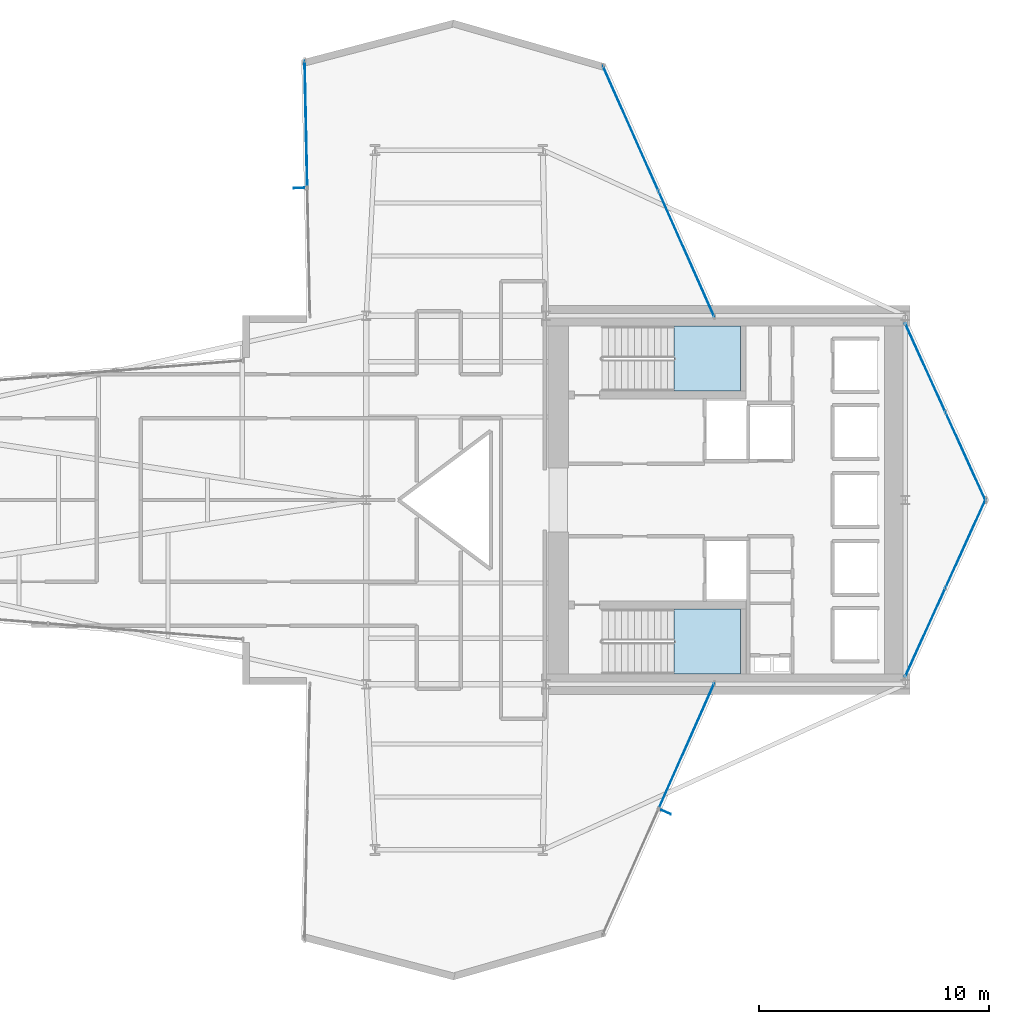
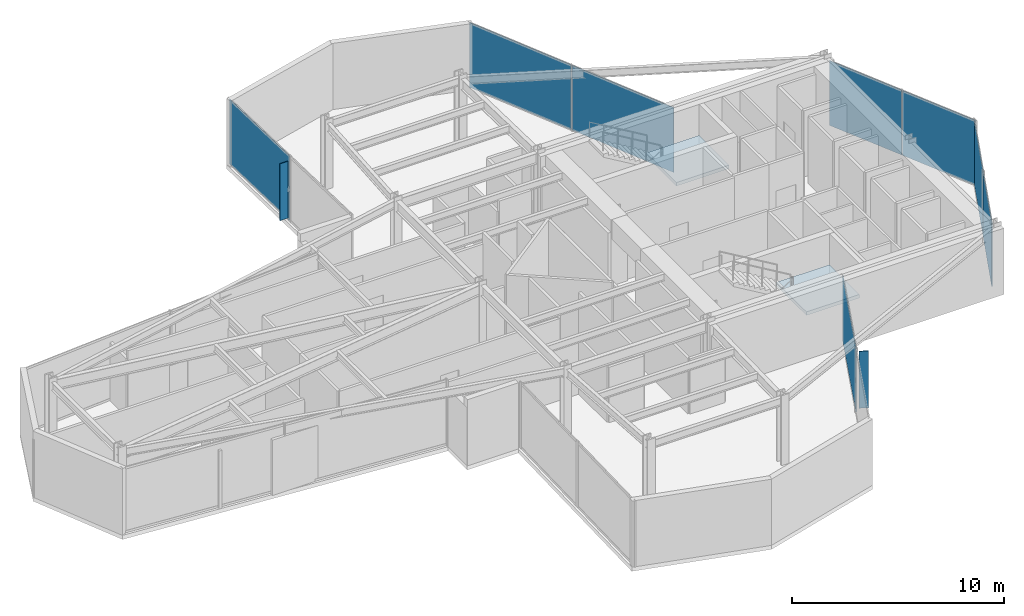
# One storey, part 19 of 23: 10 plates, 2 slabs, 7 elements without a shape of their own.
"""IFC4 building model written with IfcOpenShell, lengths in metres."""

from ifc_helpers import new_model, si_unit, direction, frame, origin, origin_2d, place, context, subcontext, project, spatial, polyline, rectangle, outline, extrude, material, layer, layer_set, type_object, element, aggregate, save


model = new_model("IFC4")

# Units and contexts
model_context = context("Model", 3, precision=1e-05, world=origin(), true_north=direction((0.0, 1.0)))
body_context = subcontext(model_context, "Body", "Model", "MODEL_VIEW")
ifc_project = project(units=[si_unit("LENGTHUNIT", "METRE"), si_unit("AREAUNIT", "SQUARE_METRE"), si_unit("VOLUMEUNIT", "CUBIC_METRE"), si_unit("PLANEANGLEUNIT", "RADIAN"), si_unit("MASSUNIT", "GRAM", prefix="KILO")], contexts=[model_context])

# Site, building, storey
site_placement = place(None, origin())
site = spatial("IfcSite", under=ifc_project, at=site_placement, CompositionType="ELEMENT")
building_placement = place(site_placement, origin())
building = spatial("IfcBuilding", under=site, at=building_placement, Name="Veymaron Broadcast Tower", CompositionType="ELEMENT")
storey_placement = place(building_placement, frame((0.0, 0.0, 94.5)))
storey = spatial("IfcBuildingStorey", under=building, at=storey_placement, Name="L21", CompositionType="ELEMENT", Elevation=94.5)

# Curtain wall, plates
ifc_material_1 = material(Name="Anodised aluminium AA 6063-T6 and laminated low-E dark glass", Category="aluminium")
ifc_layer_1 = layer(ifc_material_1, 0.179931640625)
ifc_layer_set_1 = layer_set([ifc_layer_1], Name="Anodised aluminium AA 6063-T6 and laminated low-E dark glass")
curtain_wall_type = type_object("IfcCurtainWallType", Name="CW-SYS-02", PredefinedType="NOTDEFINED", material=ifc_layer_set_1)
curtain_wall_1_placement = place(storey_placement, origin())
curtain_wall_1 = element("IfcCurtainWall", 1, at=curtain_wall_1_placement, inside=storey, type_object=curtain_wall_type, Name="L21 dark-glass curtain wall CW-L21-E2-1", PredefinedType="NOTDEFINED")
ifc_material_2 = material(Name="Double-silver solar-control dark glass IGU 32 mm", Category="glass")
ifc_layer_2 = layer(ifc_material_2, 0.031982421875)
ifc_layer_set_2 = layer_set([ifc_layer_2], Name="Double-silver solar-control dark glass IGU 32 mm")
plate_type_1 = type_object("IfcPlateType", Name="CW-PNL-02", PredefinedType="CURTAIN_PANEL", material=ifc_layer_set_2)
plate_1_placement = place(storey_placement, frame((55.468505859375, 18.2509765625, 0.0400390625), z_axis=(0.0, 0.0, 1.0), x_axis=(0.413485859852, 0.910510540138, 0.0)))
plate_1 = element("IfcPlate", 2, at=plate_1_placement, type_object=plate_type_1, Name="CW-L21-E2-1 unitised curtain panel 0", PredefinedType="CURTAIN_PANEL", context=body_context, shape_type="SweptSolid", body=[
    extrude(rectangle(XDim=4.19189453125, YDim=0.031982421875, at=origin_2d()), origin(), (0.0, 0.0, 1.0), 3.72998046875),
])
plate_2_placement = place(storey_placement, frame((57.226318359375, 22.122314453125, 0.0400390625), z_axis=(0.0, 0.0, 1.0), x_axis=(0.413485859852, 0.910510540138, 0.0)))
plate_2 = element("IfcPlate", 3, at=plate_2_placement, type_object=plate_type_1, Name="CW-L21-E2-1 unitised curtain panel 1", PredefinedType="CURTAIN_PANEL", context=body_context, shape_type="SweptSolid", body=[
    extrude(rectangle(XDim=4.19189453125, YDim=0.031982421875, at=origin_2d()), origin(), (0.0, 0.0, 1.0), 3.72998046875),
])
aggregate(curtain_wall_1, [plate_1, plate_2])

curtain_wall_2_placement = place(storey_placement, origin())
curtain_wall_2 = element("IfcCurtainWall", 4, at=curtain_wall_2_placement, inside=storey, type_object=curtain_wall_type, Name="L21 dark-glass curtain wall CW-L21-E3-1", PredefinedType="NOTDEFINED")
plate_3_placement = place(storey_placement, frame((57.226318359375, 25.877685546875, 0.0400390625), z_axis=(0.0, 0.0, 1.0), x_axis=(-0.413485859852, 0.910510540138, 0.0)))
plate_3 = element("IfcPlate", 5, at=plate_3_placement, type_object=plate_type_1, Name="CW-L21-E3-1 unitised curtain panel 0", PredefinedType="CURTAIN_PANEL", context=body_context, shape_type="SweptSolid", body=[
    extrude(rectangle(XDim=4.19189453125, YDim=0.031982421875, at=origin_2d()), origin(), (0.0, 0.0, 1.0), 3.72998046875),
])
plate_4_placement = place(storey_placement, frame((55.468505859375, 29.7490234375, 0.0400390625), z_axis=(0.0, 0.0, 1.0), x_axis=(-0.413485859852, 0.910510540138, 0.0)))
plate_4 = element("IfcPlate", 6, at=plate_4_placement, type_object=plate_type_1, Name="CW-L21-E3-1 unitised curtain panel 1", PredefinedType="CURTAIN_PANEL", context=body_context, shape_type="SweptSolid", body=[
    extrude(rectangle(XDim=4.19189453125, YDim=0.031982421875, at=origin_2d()), origin(), (0.0, 0.0, 1.0), 3.72998046875),
])
aggregate(curtain_wall_2, [plate_3, plate_4])

curtain_wall_3_placement = place(storey_placement, origin())
curtain_wall_3 = element("IfcCurtainWall", 7, at=curtain_wall_3_placement, inside=storey, type_object=curtain_wall_type, Name="L21 dark-glass curtain wall CW-L21-E5-1", PredefinedType="NOTDEFINED")
plate_5_placement = place(storey_placement, frame((45.103515625, 34.6748046875, 0.0400390625), z_axis=(0.0, 0.0, 1.0), x_axis=(-0.405907368121, 0.913914223823, 0.0)))
plate_5 = element("IfcPlate", 8, at=plate_5_placement, type_object=plate_type_1, Name="CW-L21-E5-1 unitised curtain panel 0", PredefinedType="CURTAIN_PANEL", context=body_context, shape_type="SweptSolid", body=[
    extrude(rectangle(XDim=5.91748046875, YDim=0.031982421875, at=origin_2d()), origin(), (0.0, 0.0, 1.0), 3.72998046875),
])
plate_6_placement = place(storey_placement, frame((42.67724609375, 40.1376953125, 0.0400390625), z_axis=(0.0, 0.0, 1.0), x_axis=(-0.405907368121, 0.913914223823, 0.0)))
plate_6 = element("IfcPlate", 9, at=plate_6_placement, type_object=plate_type_1, Name="CW-L21-E5-1 unitised curtain panel 1", PredefinedType="CURTAIN_PANEL", context=body_context, shape_type="SweptSolid", body=[
    extrude(rectangle(XDim=5.91748046875, YDim=0.031982421875, at=origin_2d()), origin(), (0.0, 0.0, 1.0), 3.72998046875),
])
aggregate(curtain_wall_3, [plate_5, plate_6])

# Curtain wall, plate
curtain_wall_4_placement = place(storey_placement, origin())
curtain_wall_4 = element("IfcCurtainWall", 10, at=curtain_wall_4_placement, inside=storey, type_object=curtain_wall_type, Name="L21 dark-glass curtain wall CW-L21-E8-1", PredefinedType="NOTDEFINED")
plate_7_placement = place(storey_placement, frame((28.58349609375, 40.3271484375, 0.0400390625), z_axis=(0.0, 0.0, 1.0), x_axis=(0.020680677198, -0.999786131926, 0.0)))
plate_7 = element("IfcPlate", 11, at=plate_7_placement, type_object=plate_type_1, Name="CW-L21-E8-1 unitised curtain panel 0", PredefinedType="CURTAIN_PANEL", context=body_context, shape_type="SweptSolid", body=[
    extrude(rectangle(XDim=5.49072265625, YDim=0.031982421875, at=origin_2d()), origin(), (0.0, 0.0, 1.0), 3.72998046875),
])
aggregate(curtain_wall_4, [plate_7])

curtain_wall_5_placement = place(storey_placement, origin())
curtain_wall_5 = element("IfcCurtainWall", 12, at=curtain_wall_5_placement, inside=storey, type_object=curtain_wall_type, Name="L21 dark-glass curtain wall CW-L21-E20-1", PredefinedType="NOTDEFINED")
plate_8_placement = place(storey_placement, frame((45.103515625, 13.3251953125, 0.0400390625), z_axis=(0.0, 0.0, 1.0), x_axis=(0.405907368121, 0.913914223823, 0.0)))
plate_8 = element("IfcPlate", 13, at=plate_8_placement, type_object=plate_type_1, Name="CW-L21-E20-1 unitised curtain panel 1", PredefinedType="CURTAIN_PANEL", context=body_context, shape_type="SweptSolid", body=[
    extrude(rectangle(XDim=5.91748046875, YDim=0.031982421875, at=origin_2d()), origin(), (0.0, 0.0, 1.0), 3.72998046875),
])
aggregate(curtain_wall_5, [plate_8])

# Plates
ifc_material_3 = material(Name="Dark-anodised aluminium AA 6061-T6", Category="aluminium")
ifc_layer_3 = layer(ifc_material_3, 0.034912109375)
ifc_layer_set_3 = layer_set([ifc_layer_3], Name="Dark-anodised aluminium AA 6061-T6")
plate_type_2 = type_object("IfcPlateType", Name="FIN-CHEV-01", PredefinedType="USERDEFINED", material=ifc_layer_set_3)
for number, where, z_axis, x_axis, name in (
    (14, (28.285888671875, 37.545166015625, 0.2666015625), (0.0, 0.0, 1.0), (-0.999786131926, -0.020680677198, 0.0), "CW-L21-E8-1 chevron fin 1"),
    (15, (44.21484375, 10.44970703125, 0.2666015625), (0.0, 0.0, 1.0), (0.913914223823, -0.405907368121, 0.0), "CW-L21-E20-1 chevron fin 1"),
):
    element("IfcPlate", number, at=place(storey_placement, frame(where, z_axis=z_axis, x_axis=x_axis)), inside=storey, type_object=plate_type_2, Name=name, ObjectType="FIN", PredefinedType="USERDEFINED", context=body_context, shape_type="SweptSolid", body=[
        extrude(rectangle(XDim=0.449951171875, YDim=0.034912109375, at=origin_2d()), origin(), (0.0, 0.0, 1.0), 3.276611328125),
    ])

# Stair, slab
ifc_material_4 = material(Name="Concrete C50/60", Category="concrete")
stair_type_1 = type_object("IfcStairType", Name="STAIR-CORE-1", PredefinedType="HALF_TURN_STAIR", material=ifc_material_4)
stair_1_placement = place(storey_placement, origin())
stair_1 = element("IfcStair", 16, at=stair_1_placement, inside=storey, type_object=stair_type_1, Name="L21 North protected dog-leg exit stair ST1", PredefinedType="HALF_TURN_STAIR")
ifc_layer_4 = layer(ifc_material_4, 0.199951171875)
ifc_layer_set_4 = layer_set([ifc_layer_4], Name="Concrete C50/60")
slab_type = type_object("IfcSlabType", Name="SLAB-STAIR-LDG", PredefinedType="LANDING", material=ifc_layer_set_4)
slab_1_placement = place(storey_placement, frame((0.0, 0.0, 1.824951171875)))
slab_1 = element("IfcSlab", 17, at=slab_1_placement, type_object=slab_type, Name="ST1 landing 1", PredefinedType="LANDING", context=body_context, shape_type="SweptSolid", body=[
    extrude(outline(polyline([(44.56494140625, 28.72998046875), (47.43994140625, 28.72998046875), (47.43994140625, 31.550048828125), (44.56494140625, 31.550048828125), (44.56494140625, 28.72998046875)])), origin(), (0.0, 0.0, 1.0), 0.199951171875),
])
aggregate(stair_1, [slab_1])

stair_type_2 = type_object("IfcStairType", Name="STAIR-CORE-2", PredefinedType="HALF_TURN_STAIR", material=ifc_material_4)
stair_2_placement = place(storey_placement, origin())
stair_2 = element("IfcStair", 18, at=stair_2_placement, inside=storey, type_object=stair_type_2, Name="L21 South protected dog-leg exit stair ST2", PredefinedType="HALF_TURN_STAIR")
slab_2_placement = place(storey_placement, frame((0.0, 0.0, 1.824951171875)))
slab_2 = element("IfcSlab", 19, at=slab_2_placement, type_object=slab_type, Name="ST2 landing 1", PredefinedType="LANDING", context=body_context, shape_type="SweptSolid", body=[
    extrude(outline(polyline([(44.56494140625, 16.449951171875), (47.43994140625, 16.449951171875), (47.43994140625, 19.27001953125), (44.56494140625, 19.27001953125), (44.56494140625, 16.449951171875)])), origin(), (0.0, 0.0, 1.0), 0.199951171875),
])
aggregate(stair_2, [slab_2])

save(model, "model.ifc")
